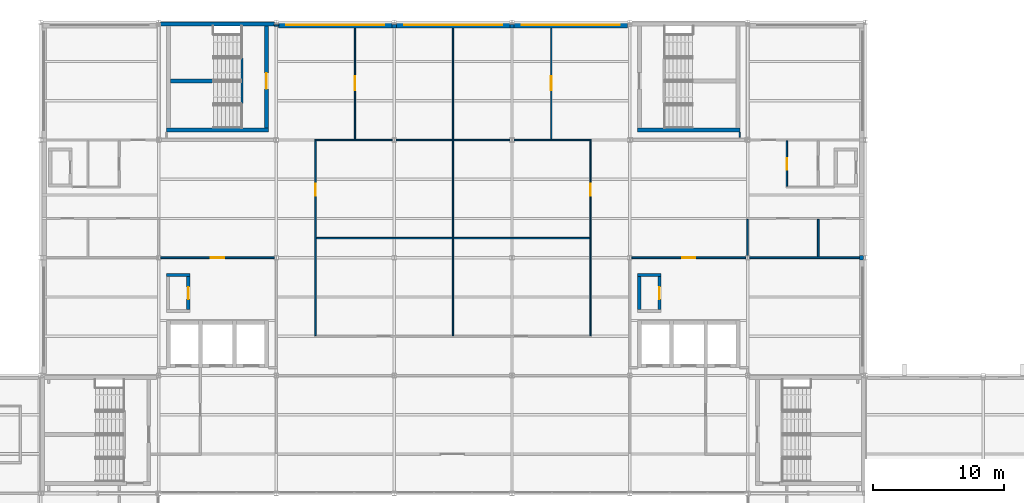
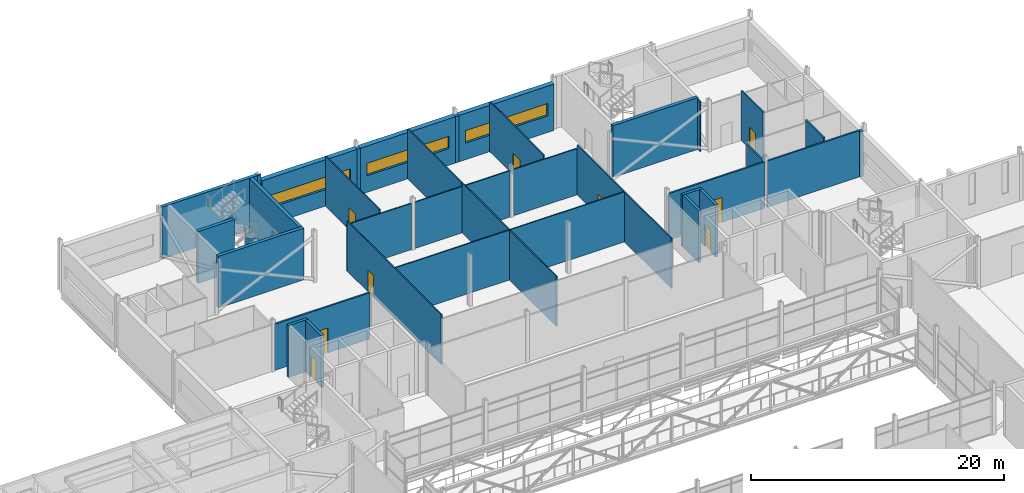
# One storey, part 87 of 115: 36 walls, 10 doors, 3 windows, 13 openings.
"""IFC4 building model written with IfcOpenShell, lengths in metres."""

from ifc_helpers import new_model, si_unit, direction, frame, frame_2d, origin, place, context, subcontext, project, spatial, rectangle, extrude, material, layer, layer_set, type_object, element, fill, save


model = new_model("IFC4")

# Units and contexts
model_context = context("Model", 3, precision=1e-05, world=origin(), true_north=direction((0.0, 1.0)))
body_context = subcontext(model_context, "Body", "Model", "MODEL_VIEW")
ifc_project = project(units=[si_unit("LENGTHUNIT", "METRE"), si_unit("AREAUNIT", "SQUARE_METRE"), si_unit("VOLUMEUNIT", "CUBIC_METRE"), si_unit("PLANEANGLEUNIT", "RADIAN"), si_unit("MASSUNIT", "GRAM", prefix="KILO")], contexts=[model_context])

# Site, building, storey
site_placement = place(None, origin())
site = spatial("IfcSite", under=ifc_project, at=site_placement, CompositionType="ELEMENT")
building_placement = place(site_placement, origin())
building = spatial("IfcBuilding", under=site, at=building_placement, Name="Shorebreak Coast Museum", CompositionType="ELEMENT")
storey_placement = place(building_placement, frame((0.0, 0.0, 11.0)))
storey = spatial("IfcBuildingStorey", under=building, at=storey_placement, Name="L02", CompositionType="ELEMENT", Elevation=11.0)

# Walls
ifc_material_1 = material(Name="Concrete N50 (50 MPa)", Category="concrete")
ifc_layer_1 = layer(ifc_material_1, 0.136474609375)
ifc_layer_set_1 = layer_set([ifc_layer_1], Name="Concrete N50 (50 MPa)")
wall_type_1 = type_object("IfcWallType", Name="Column closure panel 136", PredefinedType="SOLIDWALL", material=ifc_layer_set_1)
wall_1_placement = place(storey_placement, frame((71.844482421875, 116.768310546875, 0.0), z_axis=(0.0, 0.0, 1.0), x_axis=(1.0, 0.0, 0.0)))
element("IfcWall", 1, at=wall_1_placement, inside=storey, type_object=wall_type_1, Name="Column closure panel L02 N 9P", PredefinedType="SOLIDWALL", context=body_context, shape_type="SweptSolid", body=[
    extrude(rectangle(XDim=0.322021484375, YDim=0.136474609375, at=frame_2d((0.1611328125, 0.0))), origin(), (0.0, 0.0, 1.0), 5.0),
])
ifc_material_2 = material(Name="Concrete N50 (50 MPa)", Category="concrete")
ifc_layer_2 = layer(ifc_material_2, 0.286376953125)
ifc_layer_set_2 = layer_set([ifc_layer_2], Name="Concrete N50 (50 MPa)")
wall_type_2 = type_object("IfcWallType", Name="Column closure panel 286", PredefinedType="SOLIDWALL", material=ifc_layer_set_2)
for number, where, z_axis, x_axis, name in (
    (2, (80.839111328125, 116.693115234375, 0.0), (0.0, 0.0, 1.0), (1.0, 0.0, 0.0), "Column closure panel L02 N 10P"),
    (3, (89.839111328125, 116.693115234375, 0.0), (0.0, 0.0, 1.0), (1.0, 0.0, 0.0), "Column closure panel L02 N 11P"),
):
    element("IfcWall", number, at=place(storey_placement, frame(where, z_axis=z_axis, x_axis=x_axis)), inside=storey, type_object=wall_type_2, Name=name, PredefinedType="SOLIDWALL", context=body_context, shape_type="SweptSolid", body=[
        extrude(rectangle(XDim=0.32177734375, YDim=0.286376953125, at=frame_2d((0.160888671875, 0.0))), origin(), (0.0, 0.0, 1.0), 4.469482421875),
    ])
ifc_material_3 = material(Name="Concrete N50 (50 MPa)", Category="concrete")
ifc_layer_3 = layer(ifc_material_3, 0.29541015625)
ifc_layer_set_3 = layer_set([ifc_layer_3], Name="Concrete N50 (50 MPa)")
wall_type_3 = type_object("IfcWallType", Name="Column closure panel 296", PredefinedType="SOLIDWALL", material=ifc_layer_set_3)
wall_2_placement = place(storey_placement, frame((116.6982421875, 98.839111328125, 0.0), z_axis=(0.0, 0.0, 1.0), x_axis=(0.0, 1.0, 0.0)))
element("IfcWall", 4, at=wall_2_placement, inside=storey, type_object=wall_type_3, Name="Column closure panel L02 E 14M", PredefinedType="SOLIDWALL", context=body_context, shape_type="SweptSolid", body=[
    extrude(rectangle(XDim=0.32177734375, YDim=0.29638671875, at=frame_2d((0.160888671875, 0.0))), origin(), (0.0, 0.0, 1.0), 4.37109375),
])

# Wall, opening, window
ifc_material_4 = material(Name="Concrete N50 (50 MPa)", Category="concrete")
ifc_layer_4 = layer(ifc_material_4, 0.449951171875)
ifc_layer_set_4 = layer_set([ifc_layer_4], Name="Concrete N50 (50 MPa)")
wall_type_4 = type_object("IfcWallType", Name="Deep-set precast panel 450", PredefinedType="SOLIDWALL", material=ifc_layer_set_4)
wall_3_placement = place(storey_placement, frame((72.16650390625, 116.77490234375, 0.0), z_axis=(0.0, 0.0, 1.0), x_axis=(1.0, 0.0, 0.0)))
wall_3 = element("IfcWall", 5, at=wall_3_placement, inside=storey, type_object=wall_type_4, Name="External wall L02 N 9P", PredefinedType="SOLIDWALL", context=body_context, shape_type="SweptSolid", body=[
    extrude(rectangle(XDim=8.672607421875, YDim=0.449951171875, at=frame_2d((4.33642578125, 0.0))), origin(), (0.0, 0.0, 1.0), 4.469482421875),
])
opening_1_placement = place(wall_3_placement, frame((0.58349609375, 0.0, 1.60009765625)))
opening_1 = element("IfcOpeningElement", 6, at=opening_1_placement, cuts=wall_3, Name="Opening WN2034", PredefinedType="OPENING", context=body_context, shape_type="SweptSolid", body=[
    extrude(rectangle(XDim=7.5, YDim=1.199951171875, at=frame_2d((3.75, 0.60009765625))), frame((0.0, 0.23486328125, 0.0), z_axis=(0.0, -1.0, 0.0), x_axis=(1.0, 0.0, 0.0)), (0.0, 0.0, 1.0), 0.469970703125),
])
ifc_material_5 = material(Name="Aluminium", Category="aluminium")
window_type = type_object("IfcWindowType", Name="Ribbon window 7500 x 1200", PartitioningType="SINGLE_PANEL", PredefinedType="WINDOW", material=ifc_material_5)
window_1_placement = place(opening_1_placement, origin())
window_1 = element("IfcWindow", 7, at=window_1_placement, inside=storey, type_object=window_type, Name="Window WN2034", OverallHeight=1.199951171875, OverallWidth=7.5, PartitioningType="SINGLE_PANEL", PredefinedType="WINDOW", context=body_context, shape_type="SweptSolid", body=[
    extrude(rectangle(XDim=7.5, YDim=1.199951171875, at=frame_2d((3.75, 0.60009765625))), frame((0.0, 0.030029296875, 0.0), z_axis=(0.0, -1.0, 0.0), x_axis=(1.0, 0.0, 0.0)), (0.0, 0.0, 1.0), 0.06005859375),
])
fill(opening_1, window_1)

wall_4_placement = place(storey_placement, frame((81.160888671875, 116.77490234375, 0.0), z_axis=(0.0, 0.0, 1.0), x_axis=(1.0, 0.0, 0.0)))
wall_4 = element("IfcWall", 8, at=wall_4_placement, inside=storey, type_object=wall_type_4, Name="External wall L02 N 10P", PredefinedType="SOLIDWALL", context=body_context, shape_type="SweptSolid", body=[
    extrude(rectangle(XDim=8.67822265625, YDim=0.449951171875, at=frame_2d((4.339111328125, 0.0))), origin(), (0.0, 0.0, 1.0), 4.469482421875),
])
opening_2_placement = place(wall_4_placement, frame((0.589111328125, 0.0, 1.60009765625)))
opening_2 = element("IfcOpeningElement", 9, at=opening_2_placement, cuts=wall_4, Name="Opening WN2035", PredefinedType="OPENING", context=body_context, shape_type="SweptSolid", body=[
    extrude(rectangle(XDim=7.5, YDim=1.199951171875, at=frame_2d((3.75, 0.60009765625))), frame((0.0, 0.23486328125, 0.0), z_axis=(0.0, -1.0, 0.0), x_axis=(1.0, 0.0, 0.0)), (0.0, 0.0, 1.0), 0.469970703125),
])
window_2_placement = place(opening_2_placement, origin())
window_2 = element("IfcWindow", 10, at=window_2_placement, inside=storey, type_object=window_type, Name="Window WN2035", OverallHeight=1.199951171875, OverallWidth=7.5, PartitioningType="SINGLE_PANEL", PredefinedType="WINDOW", context=body_context, shape_type="SweptSolid", body=[
    extrude(rectangle(XDim=7.5, YDim=1.199951171875, at=frame_2d((3.75, 0.60009765625))), frame((0.0, 0.030029296875, 0.0), z_axis=(0.0, -1.0, 0.0), x_axis=(1.0, 0.0, 0.0)), (0.0, 0.0, 1.0), 0.06005859375),
])
fill(opening_2, window_2)

wall_5_placement = place(storey_placement, frame((90.160888671875, 116.77490234375, 0.0), z_axis=(0.0, 0.0, 1.0), x_axis=(1.0, 0.0, 0.0)))
wall_5 = element("IfcWall", 11, at=wall_5_placement, inside=storey, type_object=wall_type_4, Name="External wall L02 N 11P", PredefinedType="SOLIDWALL", context=body_context, shape_type="SweptSolid", body=[
    extrude(rectangle(XDim=8.672607421875, YDim=0.449951171875, at=frame_2d((4.33642578125, 0.0))), origin(), (0.0, 0.0, 1.0), 4.469482421875),
])
opening_3_placement = place(wall_5_placement, frame((0.589111328125, 0.0, 1.60009765625)))
opening_3 = element("IfcOpeningElement", 12, at=opening_3_placement, cuts=wall_5, Name="Opening WN2036", PredefinedType="OPENING", context=body_context, shape_type="SweptSolid", body=[
    extrude(rectangle(XDim=7.5, YDim=1.199951171875, at=frame_2d((3.75, 0.60009765625))), frame((0.0, 0.23486328125, 0.0), z_axis=(0.0, -1.0, 0.0), x_axis=(1.0, 0.0, 0.0)), (0.0, 0.0, 1.0), 0.469970703125),
])
window_3_placement = place(opening_3_placement, origin())
window_3 = element("IfcWindow", 13, at=window_3_placement, inside=storey, type_object=window_type, Name="Window WN2036", OverallHeight=1.199951171875, OverallWidth=7.5, PartitioningType="SINGLE_PANEL", PredefinedType="WINDOW", context=body_context, shape_type="SweptSolid", body=[
    extrude(rectangle(XDim=7.5, YDim=1.199951171875, at=frame_2d((3.75, 0.60009765625))), frame((0.0, 0.030029296875, 0.0), z_axis=(0.0, -1.0, 0.0), x_axis=(1.0, 0.0, 0.0)), (0.0, 0.0, 1.0), 0.06005859375),
])
fill(opening_3, window_3)

# Wall, opening, door
ifc_material_6 = material(Name="Plasterboard on steel stud", Category="steel")
ifc_layer_5 = layer(ifc_material_6, 0.14990234375)
ifc_layer_set_5 = layer_set([ifc_layer_5], Name="Plasterboard on steel stud")
wall_type_5 = type_object("IfcWallType", Name="Fire partition 150", PredefinedType="PARTITIONING", material=ifc_layer_set_5)
wall_6_placement = place(storey_placement, frame((63.153564453125, 99.0, 0.0), z_axis=(0.0, 0.0, 1.0), x_axis=(1.0, 0.0, 0.0)))
wall_6 = element("IfcWall", 14, at=wall_6_placement, inside=storey, type_object=wall_type_5, Name="Partition L02-072", PredefinedType="PARTITIONING", context=body_context, shape_type="SweptSolid", body=[
    extrude(rectangle(XDim=8.69287109375, YDim=0.14990234375, at=frame_2d((4.346435546875, 0.0))), origin(), (0.0, 0.0, 1.0), 4.469482421875),
])
opening_4_placement = place(wall_6_placement, frame((3.85009765625, 0.0, 0.0)))
opening_4 = element("IfcOpeningElement", 15, at=opening_4_placement, cuts=wall_6, Name="Opening D2006", PredefinedType="OPENING", context=body_context, shape_type="SweptSolid", body=[
    extrude(rectangle(XDim=1.0, YDim=2.39990234375, at=frame_2d((0.5, 1.199951171875))), frame((0.0, 0.0849609375, 0.0), z_axis=(0.0, -1.0, 0.0), x_axis=(1.0, 0.0, 0.0)), (0.0, 0.0, 1.0), 0.169921875),
])
ifc_material_7 = material(Name="Steel", Category="steel")
door_type_1 = type_object("IfcDoorType", Name="Fire door 1000x2400 60", OperationType="SINGLE_SWING_LEFT", PredefinedType="DOOR", material=ifc_material_7)
door_1_placement = place(opening_4_placement, origin())
door_1 = element("IfcDoor", 16, at=door_1_placement, inside=storey, type_object=door_type_1, Name="Door D2006 Lift Services Room W", OperationType="SINGLE_SWING_RIGHT", OverallHeight=2.39990234375, OverallWidth=1.0, PredefinedType="DOOR", context=body_context, shape_type="SweptSolid", body=[
    extrude(rectangle(XDim=1.0, YDim=2.39990234375, at=frame_2d((0.5, 1.199951171875))), frame((0.0, 0.02490234375, 0.0), z_axis=(0.0, -1.0, 0.0), x_axis=(1.0, 0.0, 0.0)), (0.0, 0.0, 1.0), 0.050048828125),
])
fill(opening_4, door_1)

wall_7_placement = place(storey_placement, frame((99.153564453125, 99.0, 0.0), z_axis=(0.0, 0.0, 1.0), x_axis=(1.0, 0.0, 0.0)))
wall_7 = element("IfcWall", 17, at=wall_7_placement, inside=storey, type_object=wall_type_5, Name="Partition L02-073", PredefinedType="PARTITIONING", context=body_context, shape_type="SweptSolid", body=[
    extrude(rectangle(XDim=8.69287109375, YDim=0.14990234375, at=frame_2d((4.346435546875, 0.0))), origin(), (0.0, 0.0, 1.0), 4.469482421875),
])
opening_5_placement = place(wall_7_placement, frame((3.85009765625, 0.0, 0.0)))
opening_5 = element("IfcOpeningElement", 18, at=opening_5_placement, cuts=wall_7, Name="Opening D2007", PredefinedType="OPENING", context=body_context, shape_type="SweptSolid", body=[
    extrude(rectangle(XDim=1.0, YDim=2.39990234375, at=frame_2d((0.5, 1.199951171875))), frame((0.0, 0.0849609375, 0.0), z_axis=(0.0, -1.0, 0.0), x_axis=(1.0, 0.0, 0.0)), (0.0, 0.0, 1.0), 0.169921875),
])
door_2_placement = place(opening_5_placement, origin())
door_2 = element("IfcDoor", 19, at=door_2_placement, inside=storey, type_object=door_type_1, Name="Door D2007 Lift Services Room E", OperationType="SINGLE_SWING_LEFT", OverallHeight=2.39990234375, OverallWidth=1.0, PredefinedType="DOOR", context=body_context, shape_type="SweptSolid", body=[
    extrude(rectangle(XDim=1.0, YDim=2.39990234375, at=frame_2d((0.5, 1.199951171875))), frame((0.0, 0.02490234375, 0.0), z_axis=(0.0, -1.0, 0.0), x_axis=(1.0, 0.0, 0.0)), (0.0, 0.0, 1.0), 0.050048828125),
])
fill(opening_5, door_2)

# Walls
wall_8_placement = place(storey_placement, frame((108.153564453125, 99.0, 0.0), z_axis=(0.0, 0.0, 1.0), x_axis=(1.0, 0.0, 0.0)))
element("IfcWall", 20, at=wall_8_placement, inside=storey, type_object=wall_type_5, Name="Partition L02-074", PredefinedType="PARTITIONING", context=body_context, shape_type="SweptSolid", body=[
    extrude(rectangle(XDim=8.396484375, YDim=0.14990234375, at=frame_2d((4.1982421875, 0.0))), origin(), (0.0, 0.0, 1.0), 4.469482421875),
])
ifc_material_8 = material(Name="Plasterboard on steel stud", Category="steel")
ifc_layer_6 = layer(ifc_material_8, 0.10009765625)
ifc_layer_set_6 = layer_set([ifc_layer_6], Name="Plasterboard on steel stud")
wall_type_6 = type_object("IfcWallType", Name="Partition 100", PredefinedType="PARTITIONING", material=ifc_layer_set_6)
wall_9_placement = place(storey_placement, frame((75.050048828125, 100.5, 0.0), z_axis=(0.0, 0.0, 1.0), x_axis=(1.0, 0.0, 0.0)))
element("IfcWall", 21, at=wall_9_placement, inside=storey, type_object=wall_type_6, Name="Partition L02-075", PredefinedType="PARTITIONING", context=body_context, shape_type="SweptSolid", body=[
    extrude(rectangle(XDim=20.89990234375, YDim=0.10009765625, at=frame_2d((10.449951171875, 0.0))), origin(), (0.0, 0.0, 1.0), 4.824951171875),
])
wall_10_placement = place(storey_placement, frame((74.949951171875, 108.0, 0.0), z_axis=(0.0, 0.0, 1.0), x_axis=(1.0, 0.0, 0.0)))
element("IfcWall", 22, at=wall_10_placement, inside=storey, type_object=wall_type_6, Name="Partition L02-081", PredefinedType="PARTITIONING", context=body_context, shape_type="SweptSolid", body=[
    extrude(rectangle(XDim=5.896484375, YDim=0.10009765625, at=frame_2d((2.9482421875, 0.0))), origin(), (0.0, 0.0, 1.0), 4.469482421875),
])
wall_11_placement = place(storey_placement, frame((81.153564453125, 108.0, 0.0), z_axis=(0.0, 0.0, 1.0), x_axis=(1.0, 0.0, 0.0)))
element("IfcWall", 23, at=wall_11_placement, inside=storey, type_object=wall_type_6, Name="Partition L02-082", PredefinedType="PARTITIONING", context=body_context, shape_type="SweptSolid", body=[
    extrude(rectangle(XDim=8.69287109375, YDim=0.10009765625, at=frame_2d((4.346435546875, 0.0))), origin(), (0.0, 0.0, 1.0), 4.469482421875),
])
wall_12_placement = place(storey_placement, frame((90.153564453125, 108.0, 0.0), z_axis=(0.0, 0.0, 1.0), x_axis=(1.0, 0.0, 0.0)))
element("IfcWall", 24, at=wall_12_placement, inside=storey, type_object=wall_type_6, Name="Partition L02-083", PredefinedType="PARTITIONING", context=body_context, shape_type="SweptSolid", body=[
    extrude(rectangle(XDim=5.896484375, YDim=0.10009765625, at=frame_2d((2.9482421875, 0.0))), origin(), (0.0, 0.0, 1.0), 4.469482421875),
])

# Wall, opening, door
wall_13_placement = place(storey_placement, frame((75.0, 93.050048828125, 0.0), z_axis=(0.0, 0.0, 1.0), x_axis=(0.0, 1.0, 0.0)))
wall_13 = element("IfcWall", 25, at=wall_13_placement, inside=storey, type_object=wall_type_6, Name="Partition L02-131", PredefinedType="PARTITIONING", context=body_context, shape_type="SweptSolid", body=[
    extrude(rectangle(XDim=14.89990234375, YDim=0.10009765625, at=frame_2d((7.449951171875, 0.0))), origin(), (0.0, 0.0, 1.0), 4.824951171875),
])
opening_6_placement = place(wall_13_placement, frame((10.699951171875, 0.0, 0.0)))
opening_6 = element("IfcOpeningElement", 26, at=opening_6_placement, cuts=wall_13, Name="Opening D2020", PredefinedType="OPENING", context=body_context, shape_type="SweptSolid", body=[
    extrude(rectangle(XDim=0.89990234375, YDim=2.10009765625, at=frame_2d((0.449951171875, 1.050048828125))), frame((0.0, 0.06005859375, 0.0), z_axis=(0.0, -1.0, 0.0), x_axis=(1.0, 0.0, 0.0)), (0.0, 0.0, 1.0), 0.1201171875),
])
ifc_material_9 = material(Name="Timber", Category="wood")
door_type_2 = type_object("IfcDoorType", Name="Interior door 900x2100", OperationType="SINGLE_SWING_LEFT", PredefinedType="DOOR", material=ifc_material_9)
door_3_placement = place(opening_6_placement, origin())
door_3 = element("IfcDoor", 27, at=door_3_placement, inside=storey, type_object=door_type_2, Name="Door D2020 Curatorial Office 2.03", OperationType="SINGLE_SWING_LEFT", OverallHeight=2.10009765625, OverallWidth=0.89990234375, PredefinedType="DOOR", context=body_context, shape_type="SweptSolid", body=[
    extrude(rectangle(XDim=0.89990234375, YDim=2.10009765625, at=frame_2d((0.449951171875, 1.050048828125))), frame((0.0, 0.02490234375, 0.0), z_axis=(0.0, -1.0, 0.0), x_axis=(1.0, 0.0, 0.0)), (0.0, 0.0, 1.0), 0.050048828125),
])
fill(opening_6, door_3)

wall_14_placement = place(storey_placement, frame((78.0, 108.050048828125, 0.0), z_axis=(0.0, 0.0, 1.0), x_axis=(0.0, 1.0, 0.0)))
wall_14 = element("IfcWall", 28, at=wall_14_placement, inside=storey, type_object=wall_type_6, Name="Partition L02-132", PredefinedType="PARTITIONING", context=body_context, shape_type="SweptSolid", body=[
    extrude(rectangle(XDim=8.5, YDim=0.10009765625, at=frame_2d((4.25, 0.0))), origin(), (0.0, 0.0, 1.0), 4.824951171875),
])
opening_7_placement = place(wall_14_placement, frame((3.75, 0.0, 0.0)))
opening_7 = element("IfcOpeningElement", 29, at=opening_7_placement, cuts=wall_14, Name="Opening D2022", PredefinedType="OPENING", context=body_context, shape_type="SweptSolid", body=[
    extrude(rectangle(XDim=1.050048828125, YDim=2.10009765625, at=frame_2d((0.52490234375, 1.050048828125))), frame((0.0, 0.06005859375, 0.0), z_axis=(0.0, -1.0, 0.0), x_axis=(1.0, 0.0, 0.0)), (0.0, 0.0, 1.0), 0.1201171875),
])
ifc_material_10 = material(Name="Timber", Category="wood")
door_type_3 = type_object("IfcDoorType", Name="Interior door 1050x2100", OperationType="SINGLE_SWING_LEFT", PredefinedType="DOOR", material=ifc_material_10)
door_4_placement = place(opening_7_placement, origin())
door_4 = element("IfcDoor", 30, at=door_4_placement, inside=storey, type_object=door_type_3, Name="Door D2022 Meeting Room 2.01", OperationType="SINGLE_SWING_LEFT", OverallHeight=2.10009765625, OverallWidth=1.050048828125, PredefinedType="DOOR", context=body_context, shape_type="SweptSolid", body=[
    extrude(rectangle(XDim=1.050048828125, YDim=2.10009765625, at=frame_2d((0.52490234375, 1.050048828125))), frame((0.0, 0.02490234375, 0.0), z_axis=(0.0, -1.0, 0.0), x_axis=(1.0, 0.0, 0.0)), (0.0, 0.0, 1.0), 0.050048828125),
])
fill(opening_7, door_4)

# Walls
for number, where, z_axis, x_axis, name in (
    (31, (85.5, 93.050048828125, 0.0), (0.0, 0.0, 1.0), (0.0, 1.0, 0.0), "Partition L02-137"),
    (32, (85.5, 100.550048828125, 0.0), (0.0, 0.0, 1.0), (0.0, 1.0, 0.0), "Partition L02-138"),
):
    element("IfcWall", number, at=place(storey_placement, frame(where, z_axis=z_axis, x_axis=x_axis)), inside=storey, type_object=wall_type_6, Name=name, PredefinedType="PARTITIONING", context=body_context, shape_type="SweptSolid", body=[
        extrude(rectangle(XDim=7.39990234375, YDim=0.10009765625, at=frame_2d((3.699951171875, 0.0))), origin(), (0.0, 0.0, 1.0), 4.824951171875),
    ])
wall_15_placement = place(storey_placement, frame((85.5, 108.050048828125, 0.0), z_axis=(0.0, 0.0, 1.0), x_axis=(0.0, 1.0, 0.0)))
element("IfcWall", 33, at=wall_15_placement, inside=storey, type_object=wall_type_6, Name="Partition L02-139", PredefinedType="PARTITIONING", context=body_context, shape_type="SweptSolid", body=[
    extrude(rectangle(XDim=8.5, YDim=0.10009765625, at=frame_2d((4.25, 0.0))), origin(), (0.0, 0.0, 1.0), 4.824951171875),
])

# Wall, opening, door
wall_16_placement = place(storey_placement, frame((93.0, 108.050048828125, 0.0), z_axis=(0.0, 0.0, 1.0), x_axis=(0.0, 1.0, 0.0)))
wall_16 = element("IfcWall", 34, at=wall_16_placement, inside=storey, type_object=wall_type_6, Name="Partition L02-143", PredefinedType="PARTITIONING", context=body_context, shape_type="SweptSolid", body=[
    extrude(rectangle(XDim=8.5, YDim=0.10009765625, at=frame_2d((4.25, 0.0))), origin(), (0.0, 0.0, 1.0), 4.824951171875),
])
opening_8_placement = place(wall_16_placement, frame((3.75, 0.0, 0.0)))
opening_8 = element("IfcOpeningElement", 35, at=opening_8_placement, cuts=wall_16, Name="Opening D2023", PredefinedType="OPENING", context=body_context, shape_type="SweptSolid", body=[
    extrude(rectangle(XDim=1.050048828125, YDim=2.10009765625, at=frame_2d((0.52490234375, 1.050048828125))), frame((0.0, 0.06005859375, 0.0), z_axis=(0.0, -1.0, 0.0), x_axis=(1.0, 0.0, 0.0)), (0.0, 0.0, 1.0), 0.1201171875),
])
door_5_placement = place(opening_8_placement, origin())
door_5 = element("IfcDoor", 36, at=door_5_placement, inside=storey, type_object=door_type_3, Name="Door D2023 Meeting Room 2.02", OperationType="SINGLE_SWING_RIGHT", OverallHeight=2.10009765625, OverallWidth=1.050048828125, PredefinedType="DOOR", context=body_context, shape_type="SweptSolid", body=[
    extrude(rectangle(XDim=1.050048828125, YDim=2.10009765625, at=frame_2d((0.52490234375, 1.050048828125))), frame((0.0, 0.02490234375, 0.0), z_axis=(0.0, -1.0, 0.0), x_axis=(1.0, 0.0, 0.0)), (0.0, 0.0, 1.0), 0.050048828125),
])
fill(opening_8, door_5)

wall_17_placement = place(storey_placement, frame((96.0, 93.050048828125, 0.0), z_axis=(0.0, 0.0, 1.0), x_axis=(0.0, 1.0, 0.0)))
wall_17 = element("IfcWall", 37, at=wall_17_placement, inside=storey, type_object=wall_type_6, Name="Partition L02-144", PredefinedType="PARTITIONING", context=body_context, shape_type="SweptSolid", body=[
    extrude(rectangle(XDim=14.89990234375, YDim=0.10009765625, at=frame_2d((7.449951171875, 0.0))), origin(), (0.0, 0.0, 1.0), 4.824951171875),
])
opening_9_placement = place(wall_17_placement, frame((10.699951171875, 0.0, 0.0)))
opening_9 = element("IfcOpeningElement", 38, at=opening_9_placement, cuts=wall_17, Name="Opening D2021", PredefinedType="OPENING", context=body_context, shape_type="SweptSolid", body=[
    extrude(rectangle(XDim=0.89990234375, YDim=2.10009765625, at=frame_2d((0.449951171875, 1.050048828125))), frame((0.0, 0.06005859375, 0.0), z_axis=(0.0, -1.0, 0.0), x_axis=(1.0, 0.0, 0.0)), (0.0, 0.0, 1.0), 0.1201171875),
])
door_6_placement = place(opening_9_placement, origin())
door_6 = element("IfcDoor", 39, at=door_6_placement, inside=storey, type_object=door_type_2, Name="Door D2021 Curatorial Office 2.04", OperationType="SINGLE_SWING_RIGHT", OverallHeight=2.10009765625, OverallWidth=0.89990234375, PredefinedType="DOOR", context=body_context, shape_type="SweptSolid", body=[
    extrude(rectangle(XDim=0.89990234375, YDim=2.10009765625, at=frame_2d((0.449951171875, 1.050048828125))), frame((0.0, 0.02490234375, 0.0), z_axis=(0.0, -1.0, 0.0), x_axis=(1.0, 0.0, 0.0)), (0.0, 0.0, 1.0), 0.050048828125),
])
fill(opening_9, door_6)

# Walls
wall_18_placement = place(storey_placement, frame((107.39990234375, 108.219970703125, 0.0), z_axis=(0.0, 0.0, 1.0), x_axis=(0.0, 1.0, 0.0)))
element("IfcWall", 40, at=wall_18_placement, inside=storey, type_object=wall_type_6, Name="Partition L02-155", PredefinedType="PARTITIONING", context=body_context, shape_type="SweptSolid", body=[
    extrude(rectangle(XDim=0.380126953125, YDim=0.10009765625, at=frame_2d((0.18994140625, 0.0))), origin(), (0.0, 0.0, 1.0), 4.824951171875),
])
ifc_material_11 = material(Name="Plasterboard on steel stud", Category="steel")
ifc_layer_7 = layer(ifc_material_11, 0.125)
ifc_layer_set_7 = layer_set([ifc_layer_7], Name="Plasterboard on steel stud")
wall_type_7 = type_object("IfcWallType", Name="Partition 125", PredefinedType="PARTITIONING", material=ifc_layer_set_7)
wall_19_placement = place(storey_placement, frame((108.0, 99.1572265625, 0.0), z_axis=(0.0, 0.0, 1.0), x_axis=(0.0, 1.0, 0.0)))
element("IfcWall", 41, at=wall_19_placement, inside=storey, type_object=wall_type_7, Name="Partition L02-161", PredefinedType="PARTITIONING", context=body_context, shape_type="SweptSolid", body=[
    extrude(rectangle(XDim=2.7802734375, YDim=0.125, at=frame_2d((1.39013671875, 0.0))), origin(), (0.0, 0.0, 1.0), 4.37109375),
])

# Wall, opening, door
wall_20_placement = place(storey_placement, frame((111.0, 104.46240234375, 0.0), z_axis=(0.0, 0.0, 1.0), x_axis=(0.0, 1.0, 0.0)))
wall_20 = element("IfcWall", 42, at=wall_20_placement, inside=storey, type_object=wall_type_7, Name="Partition L02-168", PredefinedType="PARTITIONING", context=body_context, shape_type="SweptSolid", body=[
    extrude(rectangle(XDim=3.47509765625, YDim=0.125, at=frame_2d((1.737548828125, 0.0))), origin(), (0.0, 0.0, 1.0), 4.824951171875),
])
opening_10_placement = place(wall_20_placement, frame((1.25, 0.0, 0.0)))
opening_10 = element("IfcOpeningElement", 43, at=opening_10_placement, cuts=wall_20, Name="Opening D2013", PredefinedType="OPENING", context=body_context, shape_type="SweptSolid", body=[
    extrude(rectangle(XDim=0.89990234375, YDim=2.10009765625, at=frame_2d((0.449951171875, 1.050048828125))), frame((0.0, 0.072509765625, 0.0), z_axis=(0.0, -1.0, 0.0), x_axis=(1.0, 0.0, 0.0)), (0.0, 0.0, 1.0), 0.14501953125),
])
door_7_placement = place(opening_10_placement, origin())
door_7 = element("IfcDoor", 44, at=door_7_placement, inside=storey, type_object=door_type_2, Name="Door D2013 Female WC N2", OperationType="SINGLE_SWING_LEFT", OverallHeight=2.10009765625, OverallWidth=0.89990234375, PredefinedType="DOOR", context=body_context, shape_type="SweptSolid", body=[
    extrude(rectangle(XDim=0.89990234375, YDim=2.10009765625, at=frame_2d((0.449951171875, 1.050048828125))), frame((0.0, 0.02490234375, 0.0), z_axis=(0.0, -1.0, 0.0), x_axis=(1.0, 0.0, 0.0)), (0.0, 0.0, 1.0), 0.050048828125),
])
fill(opening_10, door_7)

# Walls
wall_21_placement = place(storey_placement, frame((113.39990234375, 99.074951171875, 0.0), z_axis=(0.0, 0.0, 1.0), x_axis=(0.0, 1.0, 0.0)))
element("IfcWall", 45, at=wall_21_placement, inside=storey, type_object=wall_type_7, Name="Partition L02-169", PredefinedType="PARTITIONING", context=body_context, shape_type="SweptSolid", body=[
    extrude(rectangle(XDim=2.862548828125, YDim=0.125, at=frame_2d((1.43115234375, 0.0))), origin(), (0.0, 0.0, 1.0), 4.824951171875),
])
ifc_material_12 = material(Name="Concrete N50 (50 MPa)", Category="concrete")
ifc_layer_8 = layer(ifc_material_12, 0.25)
ifc_layer_set_8 = layer_set([ifc_layer_8], Name="Concrete N50 (50 MPa)")
wall_type_8 = type_object("IfcWallType", Name="RC riser wall 250", PredefinedType="STANDARD", material=ifc_layer_set_8)
wall_22_placement = place(storey_placement, frame((63.60009765625, 97.675048828125, 0.0), z_axis=(0.0, 0.0, 1.0), x_axis=(1.0, 0.0, 0.0)))
element("IfcWall", 46, at=wall_22_placement, inside=storey, type_object=wall_type_8, Name="Riser wall R-LBW L02 N", PredefinedType="STANDARD", context=body_context, shape_type="SweptSolid", body=[
    extrude(rectangle(XDim=1.7998046875, YDim=0.25, at=frame_2d((0.89990234375, 0.0))), origin(), (0.0, 0.0, 1.0), 5.0),
])

# Wall, opening, door
wall_23_placement = place(storey_placement, frame((65.27490234375, 95.050048828125, 0.0), z_axis=(0.0, 0.0, 1.0), x_axis=(0.0, 1.0, 0.0)))
wall_23 = element("IfcWall", 47, at=wall_23_placement, inside=storey, type_object=wall_type_8, Name="Riser wall R-LBW L02 E", PredefinedType="STANDARD", context=body_context, shape_type="SweptSolid", body=[
    extrude(rectangle(XDim=2.5, YDim=0.25, at=frame_2d((1.25, 0.0))), origin(), (0.0, 0.0, 1.0), 5.0),
])
opening_11_placement = place(wall_23_placement, frame((0.800048828125, 0.0, 0.0)))
opening_11 = element("IfcOpeningElement", 48, at=opening_11_placement, cuts=wall_23, Name="Opening D2606", PredefinedType="OPENING", context=body_context, shape_type="SweptSolid", body=[
    extrude(rectangle(XDim=0.89990234375, YDim=2.10009765625, at=frame_2d((0.449951171875, 1.050048828125))), frame((0.0, 0.135009765625, 0.0), z_axis=(0.0, -1.0, 0.0), x_axis=(1.0, 0.0, 0.0)), (0.0, 0.0, 1.0), 0.27001953125),
])
ifc_material_13 = material(Name="Steel Grade 300", Category="steel")
door_type_4 = type_object("IfcDoorType", Name="Riser door 900x2100", OperationType="SINGLE_SWING_LEFT", PredefinedType="DOOR", material=ifc_material_13)
door_8_placement = place(opening_11_placement, origin())
door_8 = element("IfcDoor", 49, at=door_8_placement, inside=storey, type_object=door_type_4, Name="Riser door R-LBW L02", OperationType="SINGLE_SWING_RIGHT", OverallHeight=2.10009765625, OverallWidth=0.89990234375, PredefinedType="DOOR", context=body_context, shape_type="SweptSolid", body=[
    extrude(rectangle(XDim=0.89990234375, YDim=2.10009765625, at=frame_2d((0.449951171875, 1.050048828125))), frame((0.0, 0.02490234375, 0.0), z_axis=(0.0, -1.0, 0.0), x_axis=(1.0, 0.0, 0.0)), (0.0, 0.0, 1.0), 0.050048828125),
])
fill(opening_11, door_8)

# Walls
wall_24_placement = place(storey_placement, frame((99.60009765625, 97.675048828125, 0.0), z_axis=(0.0, 0.0, 1.0), x_axis=(1.0, 0.0, 0.0)))
element("IfcWall", 50, at=wall_24_placement, inside=storey, type_object=wall_type_8, Name="Riser wall R-LBE L02 N", PredefinedType="STANDARD", context=body_context, shape_type="SweptSolid", body=[
    extrude(rectangle(XDim=1.7998046875, YDim=0.25, at=frame_2d((0.89990234375, 0.0))), origin(), (0.0, 0.0, 1.0), 5.0),
])
wall_25_placement = place(storey_placement, frame((99.72509765625, 95.050048828125, 0.0), z_axis=(0.0, 0.0, 1.0), x_axis=(0.0, 1.0, 0.0)))
element("IfcWall", 51, at=wall_25_placement, inside=storey, type_object=wall_type_8, Name="Riser wall R-LBE L02 W", PredefinedType="STANDARD", context=body_context, shape_type="SweptSolid", body=[
    extrude(rectangle(XDim=2.5, YDim=0.25, at=frame_2d((1.25, 0.0))), origin(), (0.0, 0.0, 1.0), 5.0),
])

# Wall, opening, door
wall_26_placement = place(storey_placement, frame((101.27490234375, 95.050048828125, 0.0), z_axis=(0.0, 0.0, 1.0), x_axis=(0.0, 1.0, 0.0)))
wall_26 = element("IfcWall", 52, at=wall_26_placement, inside=storey, type_object=wall_type_8, Name="Riser wall R-LBE L02 E", PredefinedType="STANDARD", context=body_context, shape_type="SweptSolid", body=[
    extrude(rectangle(XDim=2.5, YDim=0.25, at=frame_2d((1.25, 0.0))), origin(), (0.0, 0.0, 1.0), 5.0),
])
opening_12_placement = place(wall_26_placement, frame((0.800048828125, 0.0, 0.0)))
opening_12 = element("IfcOpeningElement", 53, at=opening_12_placement, cuts=wall_26, Name="Opening D2607", PredefinedType="OPENING", context=body_context, shape_type="SweptSolid", body=[
    extrude(rectangle(XDim=0.89990234375, YDim=2.10009765625, at=frame_2d((0.449951171875, 1.050048828125))), frame((0.0, 0.135009765625, 0.0), z_axis=(0.0, -1.0, 0.0), x_axis=(1.0, 0.0, 0.0)), (0.0, 0.0, 1.0), 0.27001953125),
])
door_9_placement = place(opening_12_placement, origin())
door_9 = element("IfcDoor", 54, at=door_9_placement, inside=storey, type_object=door_type_4, Name="Riser door R-LBE L02", OperationType="SINGLE_SWING_LEFT", OverallHeight=2.10009765625, OverallWidth=0.89990234375, PredefinedType="DOOR", context=body_context, shape_type="SweptSolid", body=[
    extrude(rectangle(XDim=0.89990234375, YDim=2.10009765625, at=frame_2d((0.449951171875, 1.050048828125))), frame((0.0, 0.02490234375, 0.0), z_axis=(0.0, -1.0, 0.0), x_axis=(1.0, 0.0, 0.0)), (0.0, 0.0, 1.0), 0.050048828125),
])
fill(opening_12, door_9)

# Walls
ifc_material_14 = material(Name="Concrete N50 (50 MPa)", Category="concrete")
ifc_layer_9 = layer(ifc_material_14, 0.300048828125)
ifc_layer_set_9 = layer_set([ifc_layer_9], Name="Concrete N50 (50 MPa)")
wall_type_9 = type_object("IfcWallType", Name="RC wall 300", PredefinedType="SHEAR", material=ifc_layer_set_9)
wall_27_placement = place(storey_placement, frame((63.60009765625, 108.75, 0.0), z_axis=(0.0, 0.0, 1.0), x_axis=(1.0, 0.0, 0.0)))
element("IfcWall", 55, at=wall_27_placement, inside=storey, type_object=wall_type_9, Name="Stair core wall ST09 L02 S", PredefinedType="SHEAR", context=body_context, shape_type="SweptSolid", body=[
    extrude(rectangle(XDim=7.7998046875, YDim=0.300048828125, at=frame_2d((3.89990234375, 0.0))), origin(), (0.0, 0.0, 1.0), 5.0),
])
wall_28_placement = place(storey_placement, frame((63.155517578125, 116.85009765625, 0.0), z_axis=(0.0, 0.0, 1.0), x_axis=(1.0, 0.0, 0.0)))
element("IfcWall", 56, at=wall_28_placement, inside=storey, type_object=wall_type_9, Name="Stair core wall ST09 L02 N", PredefinedType="SHEAR", context=body_context, shape_type="SweptSolid", body=[
    extrude(rectangle(XDim=8.68896484375, YDim=0.300048828125, at=frame_2d((4.344482421875, 0.0))), origin(), (0.0, 0.0, 1.0), 5.0),
])

# Wall, opening, door
wall_29_placement = place(storey_placement, frame((71.25, 108.89990234375, 0.0), z_axis=(0.0, 0.0, 1.0), x_axis=(0.0, 1.0, 0.0)))
wall_29 = element("IfcWall", 57, at=wall_29_placement, inside=storey, type_object=wall_type_9, Name="Stair core wall ST09 L02 E", PredefinedType="SHEAR", context=body_context, shape_type="SweptSolid", body=[
    extrude(rectangle(XDim=7.800048828125, YDim=0.300048828125, at=frame_2d((3.89990234375, 0.0))), origin(), (0.0, 0.0, 1.0), 5.0),
])
opening_13_placement = place(wall_29_placement, frame((3.0, 0.0, 0.0)))
opening_13 = element("IfcOpeningElement", 58, at=opening_13_placement, cuts=wall_29, Name="Opening D2809", PredefinedType="OPENING", context=body_context, shape_type="SweptSolid", body=[
    extrude(rectangle(XDim=1.199951171875, YDim=2.10009765625, at=frame_2d((0.60009765625, 1.050048828125))), frame((0.0, 0.159912109375, 0.0), z_axis=(0.0, -1.0, 0.0), x_axis=(1.0, 0.0, 0.0)), (0.0, 0.0, 1.0), 0.320068359375),
])
ifc_material_15 = material(Name="Steel Grade 300", Category="steel")
door_type_5 = type_object("IfcDoorType", Name="Fire door 1200x2100", OperationType="SINGLE_SWING_LEFT", PredefinedType="DOOR", material=ifc_material_15)
door_10_placement = place(opening_13_placement, origin())
door_10 = element("IfcDoor", 59, at=door_10_placement, inside=storey, type_object=door_type_5, Name="Stair door ST09 L02", OperationType="SINGLE_SWING_RIGHT", OverallHeight=2.10009765625, OverallWidth=1.199951171875, PredefinedType="DOOR", context=body_context, shape_type="SweptSolid", body=[
    extrude(rectangle(XDim=1.199951171875, YDim=2.10009765625, at=frame_2d((0.60009765625, 1.050048828125))), frame((0.0, 0.02490234375, 0.0), z_axis=(0.0, -1.0, 0.0), x_axis=(1.0, 0.0, 0.0)), (0.0, 0.0, 1.0), 0.050048828125),
])
fill(opening_13, door_10)

# Walls
wall_30_placement = place(storey_placement, frame((99.60009765625, 108.75, 0.0), z_axis=(0.0, 0.0, 1.0), x_axis=(1.0, 0.0, 0.0)))
element("IfcWall", 60, at=wall_30_placement, inside=storey, type_object=wall_type_9, Name="Stair core wall ST10 L02 S", PredefinedType="SHEAR", context=body_context, shape_type="SweptSolid", body=[
    extrude(rectangle(XDim=7.7998046875, YDim=0.300048828125, at=frame_2d((3.89990234375, 0.0))), origin(), (0.0, 0.0, 1.0), 5.0),
])
wall_31_placement = place(storey_placement, frame((67.199951171875, 112.5, 0.0), z_axis=(0.0, 0.0, 1.0), x_axis=(-1.0, 0.0, 0.0)))
element("IfcWall", 61, at=wall_31_placement, inside=storey, type_object=wall_type_9, Name="Stair spine wall ST09 L02", PredefinedType="SHEAR", context=body_context, shape_type="SweptSolid", body=[
    extrude(rectangle(XDim=3.300048828125, YDim=0.300048828125, at=frame_2d((1.64990234375, 0.0))), origin(), (0.0, 0.0, 1.0), 5.0),
])
ifc_material_16 = material(Name="Concrete N50 (50 MPa)", Category="concrete")
ifc_layer_10 = layer(ifc_material_16, 0.14990234375)
ifc_layer_set_10 = layer_set([ifc_layer_10], Name="Concrete N50 (50 MPa)")
wall_type_10 = type_object("IfcWallType", Name="Understair wall 150", PredefinedType="STANDARD", material=ifc_layer_set_10)
wall_32_placement = place(storey_placement, frame((69.375, 110.699951171875, 0.0), z_axis=(0.0, 0.0, 1.0), x_axis=(0.0, 1.0, 0.0)))
element("IfcWall", 62, at=wall_32_placement, inside=storey, type_object=wall_type_10, Name="Understair wall ST09 L02 floor", PredefinedType="STANDARD", context=body_context, shape_type="SweptSolid", body=[
    extrude(rectangle(XDim=3.60009765625, YDim=0.14990234375, at=frame_2d((1.800048828125, 0.0))), origin(), (0.0, 0.0, 1.0), 2.300048828125),
])

save(model, "model.ifc")
